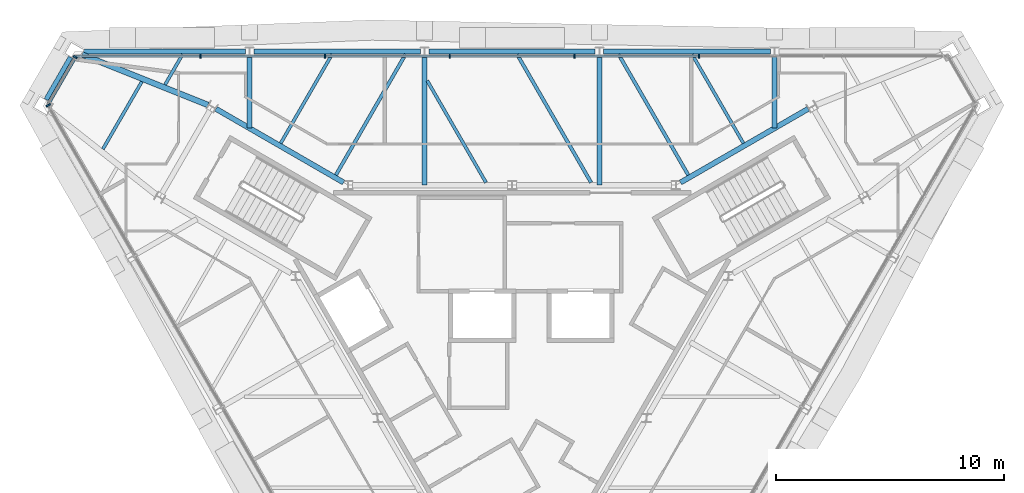
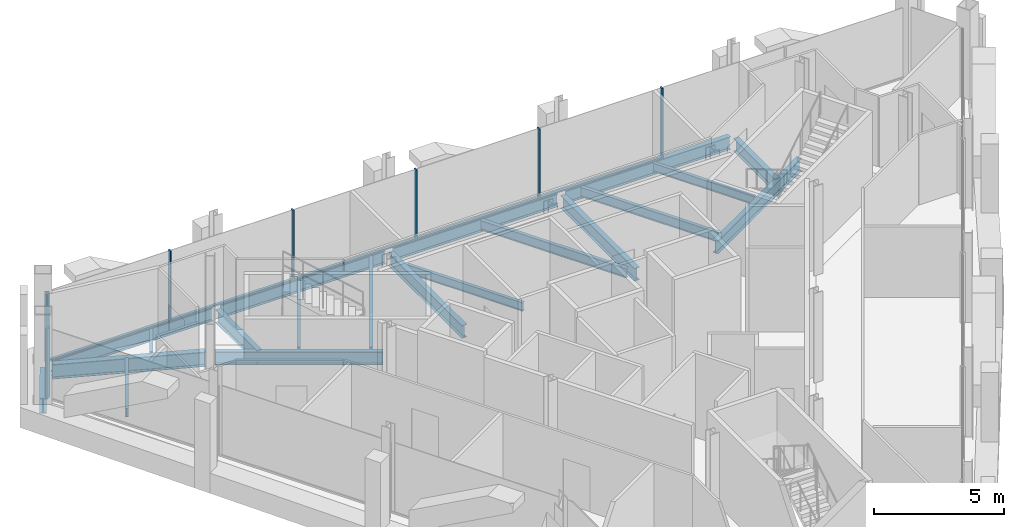
# One storey, part 6 of 13: 20 beams, 13 members, 3 elements without a shape of their own.
"""IFC4 building model written with IfcOpenShell, lengths in metres."""

from ifc_helpers import new_model, si_unit, direction, frame, origin, origin_2d, place, context, subcontext, project, spatial, rectangle, i_section, extrude, material, material_profile, profile_set, type_object, element, aggregate, save


model = new_model("IFC4")

# Units and contexts
model_context = context("Model", 3, precision=1e-05, world=origin(), true_north=direction((0.0, 1.0)))
body_context = subcontext(model_context, "Body", "Model", "MODEL_VIEW")
ifc_project = project(units=[si_unit("LENGTHUNIT", "METRE"), si_unit("AREAUNIT", "SQUARE_METRE"), si_unit("VOLUMEUNIT", "CUBIC_METRE"), si_unit("PLANEANGLEUNIT", "RADIAN"), si_unit("MASSUNIT", "GRAM", prefix="KILO")], contexts=[model_context])

# Site, building, storey
site_placement = place(None, origin())
site = spatial("IfcSite", under=ifc_project, at=site_placement, CompositionType="ELEMENT")
building_placement = place(site_placement, origin())
building = spatial("IfcBuilding", under=site, at=building_placement, Name="Verrane Prism Tower", CompositionType="ELEMENT")
storey_placement = place(building_placement, frame((0.0, 0.0, 325.199951171875)))
storey = spatial("IfcBuildingStorey", under=building, at=storey_placement, Name="L82", CompositionType="ELEMENT", Elevation=325.199951171875)

# Beams
ifc_material_1 = material(Name="Steel A992", Category="steel")
ifc_material_profile_1 = material_profile(ifc_material_1, i_section(OverallWidth=0.25390625, OverallDepth=0.683349609375, WebThickness=0.012451171875, FlangeThickness=0.01904296875, FilletRadius=0.01513671875, at=origin_2d()), Name="W27x94")
ifc_profile_set_1 = profile_set([ifc_material_profile_1], Name="Steel A992")
beam_type_1 = type_object("IfcBeamType", Name="Chamfer spandrel beam W27x94", PredefinedType="SPANDREL", material=ifc_profile_set_1)
beam_1_placement = place(storey_placement, frame((-19.320068359375, 12.390380859375, -0.50146484375), z_axis=(-0.500486898547, -0.865744110221, 0.0), x_axis=(0.865744110221, -0.500486898547, 0.0)))
element("IfcBeam", 1, at=beam_1_placement, inside=storey, type_object=beam_type_1, Name="Chamfer spandrel beam L82", PredefinedType="SPANDREL", context=body_context, shape_type="SweptSolid", body=[
    extrude(i_section(OverallWidth=0.25390625, OverallDepth=0.683349609375, WebThickness=0.012451171875, FlangeThickness=0.01904296875, FilletRadius=0.01513671875, at=origin_2d()), origin(), (0.0, 0.0, 1.0), 2.137451171875),
])
ifc_material_2 = material(Name="Steel A992", Category="steel")
ifc_material_profile_2 = material_profile(ifc_material_2, i_section(OverallWidth=0.228271484375, OverallDepth=0.607177734375, WebThickness=0.01123046875, FlangeThickness=0.017333984375, FilletRadius=0.0126953125, at=origin_2d()), Name="W24x76")
ifc_profile_set_2 = profile_set([ifc_material_profile_2], Name="Steel A992")
beam_type_2 = type_object("IfcBeamType", Name="Core ring girder W24x76", PredefinedType="BEAM", material=ifc_profile_set_2)
for number, where, z_axis, x_axis, name in (
    (2, (12.972900390625, 10.1435546875, -0.553466796875), (-0.866085504117, -0.499895888719, 0.0), (0.499895888719, -0.866085504117, 0.0), "Core ring girder L82"),
    (3, (-7.37939453125, 6.9150390625, -0.553466796875), (-0.866085504117, 0.499895888719, 0.0), (-0.499895888719, -0.866085504117, 0.0), "Core ring girder L82"),
):
    element("IfcBeam", number, at=place(storey_placement, frame(where, z_axis=z_axis, x_axis=x_axis)), inside=storey, type_object=beam_type_2, Name=name, PredefinedType="BEAM", context=body_context, shape_type="SweptSolid", body=[
        extrude(i_section(OverallWidth=0.228271484375, OverallDepth=0.607177734375, WebThickness=0.01123046875, FlangeThickness=0.017333984375, FilletRadius=0.0126953125, at=origin_2d()), origin(), (0.0, 0.0, 1.0), 6.45849609375),
    ])
ifc_material_3 = material(Name="Steel A992", Category="steel")
ifc_material_profile_3 = material_profile(ifc_material_3, i_section(OverallWidth=0.25390625, OverallDepth=0.683349609375, WebThickness=0.012451171875, FlangeThickness=0.01904296875, FilletRadius=0.01513671875, at=origin_2d()), Name="W27x94")
ifc_profile_set_3 = profile_set([ifc_material_profile_3], Name="Steel A992")
beam_type_3 = type_object("IfcBeamType", Name="Corner girder W27x94", PredefinedType="BEAM", material=ifc_profile_set_3)
beam_2_placement = place(storey_placement, frame((-18.841552734375, 12.518798828125, -0.5615234375), z_axis=(0.928587103525, -0.371114525675, 0.0), x_axis=(0.371114525675, 0.928587103525, 0.0)))
element("IfcBeam", 4, at=beam_2_placement, inside=storey, type_object=beam_type_3, Name="Corner girder L82", PredefinedType="BEAM", context=body_context, shape_type="SweptSolid", body=[
    extrude(i_section(OverallWidth=0.25390625, OverallDepth=0.683349609375, WebThickness=0.012451171875, FlangeThickness=0.01904296875, FilletRadius=0.01513671875, at=origin_2d()), origin(), (0.0, 0.0, 1.0), 5.945068359375),
])
ifc_material_4 = material(Name="Steel A992", Category="steel")
ifc_material_profile_4 = material_profile(ifc_material_4, i_section(OverallWidth=0.140380859375, OverallDepth=0.40380859375, WebThickness=0.007080078125, FlangeThickness=0.01123046875, FilletRadius=0.01025390625, at=origin_2d()), Name="W16x31")
ifc_profile_set_4 = profile_set([ifc_material_profile_4], Name="Steel A992")
beam_type_4 = type_object("IfcBeamType", Name="Floor beam W16x31", PredefinedType="BEAM", material=ifc_profile_set_4)
beam_3_placement = place(storey_placement, frame((10.135498046875, 8.635009765625, -0.36181640625), z_axis=(-0.500003959331, 0.866023117852, 0.0), x_axis=(-0.866023117852, -0.500003959331, 0.0)))
element("IfcBeam", 5, at=beam_3_placement, inside=storey, type_object=beam_type_4, Name="Floor beam L82", PredefinedType="BEAM", context=body_context, shape_type="SweptSolid", body=[
    extrude(i_section(OverallWidth=0.140380859375, OverallDepth=0.40380859375, WebThickness=0.007080078125, FlangeThickness=0.01123046875, FilletRadius=0.01025390625, at=origin_2d()), origin(), (0.0, 0.0, 1.0), 4.50439453125),
])
beam_4_placement = place(storey_placement, frame((-1.140380859375, 6.9140625, -0.36181640625), z_axis=(-0.500023314225, 0.866011942892, 0.0), x_axis=(-0.866011942892, -0.500023314225, 0.0)))
element("IfcBeam", 6, at=beam_4_placement, inside=storey, type_object=beam_type_4, Name="Floor beam L82", PredefinedType="BEAM", context=body_context, shape_type="SweptSolid", body=[
    extrude(i_section(OverallWidth=0.140380859375, OverallDepth=0.40380859375, WebThickness=0.007080078125, FlangeThickness=0.01123046875, FilletRadius=0.01025390625, at=origin_2d()), origin(), (0.0, 0.0, 1.0), 5.151123046875),
])
beam_5_placement = place(storey_placement, frame((-10.135498046875, 8.635009765625, -0.36181640625), z_axis=(0.500003959331, 0.866023117852, 0.0), x_axis=(-0.866023117852, 0.500003959331, 0.0)))
element("IfcBeam", 7, at=beam_5_placement, inside=storey, type_object=beam_type_4, Name="Floor beam L82", PredefinedType="BEAM", context=body_context, shape_type="SweptSolid", body=[
    extrude(i_section(OverallWidth=0.140380859375, OverallDepth=0.40380859375, WebThickness=0.007080078125, FlangeThickness=0.01123046875, FilletRadius=0.01025390625, at=origin_2d()), origin(), (0.0, 0.0, 1.0), 4.50439453125),
])
beam_6_placement = place(storey_placement, frame((-15.201904296875, 11.20068359375, -0.36181640625), z_axis=(0.50005597947, 0.86599308161, 0.0), x_axis=(-0.86599308161, 0.50005597947, 0.0)))
element("IfcBeam", 8, at=beam_6_placement, inside=storey, type_object=beam_type_4, Name="Floor beam L82", PredefinedType="BEAM", context=body_context, shape_type="SweptSolid", body=[
    extrude(i_section(OverallWidth=0.140380859375, OverallDepth=0.40380859375, WebThickness=0.007080078125, FlangeThickness=0.01123046875, FilletRadius=0.01025390625, at=origin_2d()), origin(), (0.0, 0.0, 1.0), 1.541748046875),
])
beam_7_placement = place(storey_placement, frame((-17.925048828125, 8.380615234375, -0.36181640625), z_axis=(0.500042619005, 0.866000796292, 0.0), x_axis=(-0.866000796292, 0.500042619005, 0.0)))
element("IfcBeam", 9, at=beam_7_placement, inside=storey, type_object=beam_type_4, Name="Floor beam L82", PredefinedType="BEAM", context=body_context, shape_type="SweptSolid", body=[
    extrude(i_section(OverallWidth=0.140380859375, OverallDepth=0.40380859375, WebThickness=0.007080078125, FlangeThickness=0.01123046875, FilletRadius=0.01025390625, at=origin_2d()), origin(), (0.0, 0.0, 1.0), 3.410400390625),
])
ifc_material_5 = material(Name="Steel A992", Category="steel")
ifc_material_profile_5 = material_profile(ifc_material_5, i_section(OverallWidth=0.15234375, OverallDepth=0.449462890625, WebThickness=0.007568359375, FlangeThickness=0.0107421875, FilletRadius=0.01025390625, at=origin_2d()), Name="W18x35")
ifc_profile_set_5 = profile_set([ifc_material_profile_5], Name="Steel A992")
beam_type_5 = type_object("IfcBeamType", Name="Floor beam W18x35", PredefinedType="BEAM", material=ifc_profile_set_5)
beam_8_placement = place(storey_placement, frame((7.718994140625, 7.2421875, -0.384765625), z_axis=(-0.500009409241, 0.866019971289, 0.0), x_axis=(-0.866019971289, -0.500009409241, 0.0)))
element("IfcBeam", 10, at=beam_8_placement, inside=storey, type_object=beam_type_5, Name="Floor beam L82", PredefinedType="BEAM", context=body_context, shape_type="SweptSolid", body=[
    extrude(i_section(OverallWidth=0.15234375, OverallDepth=0.449462890625, WebThickness=0.007568359375, FlangeThickness=0.0107421875, FilletRadius=0.01025390625, at=origin_2d()), origin(), (0.0, 0.0, 1.0), 6.11279296875),
])
beam_9_placement = place(storey_placement, frame((3.46240234375, 6.9140625, -0.384765625), z_axis=(-0.499981816164, 0.866035901972, 0.0), x_axis=(-0.866035901972, -0.499981816164, 0.0)))
element("IfcBeam", 11, at=beam_9_placement, inside=storey, type_object=beam_type_5, Name="Floor beam L82", PredefinedType="BEAM", context=body_context, shape_type="SweptSolid", body=[
    extrude(i_section(OverallWidth=0.15234375, OverallDepth=0.449462890625, WebThickness=0.007568359375, FlangeThickness=0.0107421875, FilletRadius=0.01025390625, at=origin_2d()), origin(), (0.0, 0.0, 1.0), 6.491455078125),
])
beam_10_placement = place(storey_placement, frame((-7.718994140625, 7.2421875, -0.384765625), z_axis=(0.500009409241, 0.866019971289, 0.0), x_axis=(-0.866019971289, 0.500009409241, 0.0)))
element("IfcBeam", 12, at=beam_10_placement, inside=storey, type_object=beam_type_5, Name="Floor beam L82", PredefinedType="BEAM", context=body_context, shape_type="SweptSolid", body=[
    extrude(i_section(OverallWidth=0.15234375, OverallDepth=0.449462890625, WebThickness=0.007568359375, FlangeThickness=0.0107421875, FilletRadius=0.01025390625, at=origin_2d()), origin(), (0.0, 0.0, 1.0), 6.11279296875),
])

# Curtain wall, members
ifc_material_6 = material(Name="Aluminium framed insulated glazing", Category="aluminium")
curtain_wall_type_1 = type_object("IfcCurtainWallType", Name="Curtain wall CW-B 5600 module", PredefinedType="NOTDEFINED", material=ifc_material_6)
curtain_wall_1_placement = place(storey_placement, origin())
curtain_wall_1 = element("IfcCurtainWall", 13, at=curtain_wall_1_placement, inside=storey, type_object=curtain_wall_type_1, Name="Glazed curtain wall north face L82", PredefinedType="NOTDEFINED")
ifc_material_7 = material(Name="Aluminium alloy 6063-T6", Category="aluminium")
ifc_material_profile_6 = material_profile(ifc_material_7, rectangle(XDim=0.159912109375, YDim=0.06005859375, at=origin_2d()), Name="Mullion 60x160 aluminium")
ifc_profile_set_6 = profile_set([ifc_material_profile_6], Name="Aluminium alloy 6063-T6")
member_type_1 = type_object("IfcMemberType", Name="Mullion 60x160 aluminium", PredefinedType="MULLION", material=ifc_profile_set_6)
member_1_placement = place(storey_placement, frame((8.191650390625, 12.447265625, 0.0), z_axis=(0.0, 0.0, 1.0), x_axis=(0.0, -1.0, 0.0)))
member_1 = element("IfcMember", 14, at=member_1_placement, type_object=member_type_1, Name="CW82.2 mullion 3", PredefinedType="MULLION", context=body_context, shape_type="SweptSolid", body=[
    extrude(rectangle(XDim=0.159912109375, YDim=0.06005859375, at=origin_2d()), origin(), (0.0, 0.0, 1.0), 3.296630859375),
])
member_2_placement = place(storey_placement, frame((2.73046875, 12.447265625, 0.0), z_axis=(0.0, 0.0, 1.0), x_axis=(0.0, -1.0, 0.0)))
member_2 = element("IfcMember", 15, at=member_2_placement, type_object=member_type_1, Name="CW82.2 mullion 4", PredefinedType="MULLION", context=body_context, shape_type="SweptSolid", body=[
    extrude(rectangle(XDim=0.159912109375, YDim=0.06005859375, at=origin_2d()), origin(), (0.0, 0.0, 1.0), 3.296630859375),
])
member_3_placement = place(storey_placement, frame((-2.73046875, 12.447265625, 0.0), z_axis=(0.0, 0.0, 1.0), x_axis=(0.0, -1.0, 0.0)))
member_3 = element("IfcMember", 16, at=member_3_placement, type_object=member_type_1, Name="CW82.2 mullion 5", PredefinedType="MULLION", context=body_context, shape_type="SweptSolid", body=[
    extrude(rectangle(XDim=0.159912109375, YDim=0.06005859375, at=origin_2d()), origin(), (0.0, 0.0, 1.0), 3.296630859375),
])
member_4_placement = place(storey_placement, frame((-8.191650390625, 12.447265625, 0.0), z_axis=(0.0, 0.0, 1.0), x_axis=(0.0, -1.0, 0.0)))
member_4 = element("IfcMember", 17, at=member_4_placement, type_object=member_type_1, Name="CW82.2 mullion 6", PredefinedType="MULLION", context=body_context, shape_type="SweptSolid", body=[
    extrude(rectangle(XDim=0.159912109375, YDim=0.06005859375, at=origin_2d()), origin(), (0.0, 0.0, 1.0), 3.296630859375),
])
member_5_placement = place(storey_placement, frame((-13.65283203125, 12.447265625, 0.0), z_axis=(0.0, 0.0, 1.0), x_axis=(0.0, -1.0, 0.0)))
member_5 = element("IfcMember", 18, at=member_5_placement, type_object=member_type_1, Name="CW82.2 mullion 7", PredefinedType="MULLION", context=body_context, shape_type="SweptSolid", body=[
    extrude(rectangle(XDim=0.159912109375, YDim=0.06005859375, at=origin_2d()), origin(), (0.0, 0.0, 1.0), 3.296630859375),
])

# Curtain wall, member
ifc_material_8 = material(Name="Aluminium framed insulated glazing", Category="aluminium")
curtain_wall_type_2 = type_object("IfcCurtainWallType", Name="Curtain wall CW-A 8400 module", PredefinedType="NOTDEFINED", material=ifc_material_8)
curtain_wall_2_placement = place(storey_placement, origin())
curtain_wall_2 = element("IfcCurtainWall", 19, at=curtain_wall_2_placement, inside=storey, type_object=curtain_wall_type_2, Name="Glazed curtain wall north-west corner L82", PredefinedType="NOTDEFINED")
ifc_material_9 = material(Name="Aluminium alloy 6063-T6", Category="aluminium")
ifc_material_profile_7 = material_profile(ifc_material_9, rectangle(XDim=0.199951171875, YDim=0.070068359375, at=origin_2d()), Name="Mullion 70x200 aluminium")
ifc_profile_set_7 = profile_set([ifc_material_profile_7], Name="Aluminium alloy 6063-T6")
member_type_2 = type_object("IfcMemberType", Name="Mullion 70x200 aluminium", PredefinedType="MULLION", material=ifc_profile_set_7)
member_6_placement = place(storey_placement, frame((-19.131591796875, 12.4169921875, 0.0), z_axis=(0.0, 0.0, 1.0), x_axis=(0.866024860131, -0.500000941634, 0.0)))
member_6 = element("IfcMember", 20, at=member_6_placement, type_object=member_type_2, Name="CW82.3 mullion 1", PredefinedType="MULLION", context=body_context, shape_type="SweptSolid", body=[
    extrude(rectangle(XDim=0.199951171875, YDim=0.070068359375, at=origin_2d()), origin(), (0.0, 0.0, 1.0), 3.296630859375),
])

curtain_wall_3_placement = place(storey_placement, origin())
curtain_wall_3 = element("IfcCurtainWall", 21, at=curtain_wall_3_placement, inside=storey, type_object=curtain_wall_type_2, Name="Glazed curtain wall south-west face L82", PredefinedType="NOTDEFINED")
member_7_placement = place(storey_placement, frame((-20.319091796875, 10.29931640625, 0.0), z_axis=(0.0, 0.0, 1.0), x_axis=(0.866025278644, 0.500000216749, 0.0)))
member_7 = element("IfcMember", 22, at=member_7_placement, type_object=member_type_2, Name="CW82.4 mullion 1", PredefinedType="MULLION", context=body_context, shape_type="SweptSolid", body=[
    extrude(rectangle(XDim=0.199951171875, YDim=0.070068359375, at=origin_2d()), origin(), (0.0, 0.0, 1.0), 3.296630859375),
])
aggregate(curtain_wall_3, [member_7])

# Beams
ifc_material_10 = material(Name="Steel A992", Category="steel")
ifc_material_profile_8 = material_profile(ifc_material_10, i_section(OverallWidth=0.228271484375, OverallDepth=0.607177734375, WebThickness=0.01123046875, FlangeThickness=0.017333984375, FilletRadius=0.0126953125, at=origin_2d()), Name="W24x76")
ifc_profile_set_8 = profile_set([ifc_material_profile_8], Name="Steel A992")
beam_type_6 = type_object("IfcBeamType", Name="Radial girder W24x76", PredefinedType="BEAM", material=ifc_profile_set_8)
beam_11_placement = place(storey_placement, frame((11.5, 12.4658203125, -0.5234375), z_axis=(0.0, -1.0, 0.0), x_axis=(1.0, 0.0, 0.0)))
element("IfcBeam", 23, at=beam_11_placement, inside=storey, type_object=beam_type_6, Name="Radial girder L82", PredefinedType="BEAM", context=body_context, shape_type="SweptSolid", body=[
    extrude(i_section(OverallWidth=0.228271484375, OverallDepth=0.607177734375, WebThickness=0.01123046875, FlangeThickness=0.017333984375, FilletRadius=0.0126953125, at=origin_2d()), origin(), (0.0, 0.0, 1.0), 3.17236328125),
])
for number, where, z_axis, x_axis, name in (
    (24, (3.830078125, 12.4658203125, -0.5234375), (0.0, -1.0, 0.0), (1.0, 0.0, 0.0), "Radial girder L82"),
    (25, (-3.830078125, 12.4658203125, -0.5234375), (0.0, -1.0, 0.0), (1.0, 0.0, 0.0), "Radial girder L82"),
):
    element("IfcBeam", number, at=place(storey_placement, frame(where, z_axis=z_axis, x_axis=x_axis)), inside=storey, type_object=beam_type_6, Name=name, PredefinedType="BEAM", context=body_context, shape_type="SweptSolid", body=[
        extrude(i_section(OverallWidth=0.228271484375, OverallDepth=0.607177734375, WebThickness=0.01123046875, FlangeThickness=0.017333984375, FilletRadius=0.0126953125, at=origin_2d()), origin(), (0.0, 0.0, 1.0), 5.665771484375),
    ])
beam_12_placement = place(storey_placement, frame((-11.5, 12.4658203125, -0.5234375), z_axis=(0.0, -1.0, 0.0), x_axis=(1.0, 0.0, 0.0)))
element("IfcBeam", 26, at=beam_12_placement, inside=storey, type_object=beam_type_6, Name="Radial girder L82", PredefinedType="BEAM", context=body_context, shape_type="SweptSolid", body=[
    extrude(i_section(OverallWidth=0.228271484375, OverallDepth=0.607177734375, WebThickness=0.01123046875, FlangeThickness=0.017333984375, FilletRadius=0.0126953125, at=origin_2d()), origin(), (0.0, 0.0, 1.0), 3.17236328125),
])
ifc_material_11 = material(Name="Steel A992", Category="steel")
ifc_material_profile_9 = material_profile(ifc_material_11, i_section(OverallWidth=0.228271484375, OverallDepth=0.607177734375, WebThickness=0.01123046875, FlangeThickness=0.017333984375, FilletRadius=0.0126953125, at=origin_2d()), Name="W24x76")
ifc_profile_set_9 = profile_set([ifc_material_profile_9], Name="Steel A992")
beam_type_7 = type_object("IfcBeamType", Name="Spandrel beam W24x76", PredefinedType="SPANDREL", material=ifc_profile_set_9)
beam_13_placement = place(storey_placement, frame((11.313232421875, 12.64990234375, -0.46337890625), z_axis=(-1.0, 0.0, 0.0), x_axis=(0.0, -1.0, 0.0)))
element("IfcBeam", 27, at=beam_13_placement, inside=storey, type_object=beam_type_7, Name="Spandrel beam L82", PredefinedType="SPANDREL", context=body_context, shape_type="SweptSolid", body=[
    extrude(i_section(OverallWidth=0.228271484375, OverallDepth=0.607177734375, WebThickness=0.01123046875, FlangeThickness=0.017333984375, FilletRadius=0.0126953125, at=origin_2d()), origin(), (0.0, 0.0, 1.0), 7.296630859375),
])
beam_14_placement = place(storey_placement, frame((3.643310546875, 12.64990234375, -0.46337890625), z_axis=(-1.0, 0.0, 0.0), x_axis=(0.0, -1.0, 0.0)))
element("IfcBeam", 28, at=beam_14_placement, inside=storey, type_object=beam_type_7, Name="Spandrel beam L82", PredefinedType="SPANDREL", context=body_context, shape_type="SweptSolid", body=[
    extrude(i_section(OverallWidth=0.228271484375, OverallDepth=0.607177734375, WebThickness=0.01123046875, FlangeThickness=0.017333984375, FilletRadius=0.0126953125, at=origin_2d()), origin(), (0.0, 0.0, 1.0), 7.28662109375),
])
beam_15_placement = place(storey_placement, frame((-4.0166015625, 12.64990234375, -0.46337890625), z_axis=(-1.0, 0.0, 0.0), x_axis=(0.0, -1.0, 0.0)))
element("IfcBeam", 29, at=beam_15_placement, inside=storey, type_object=beam_type_7, Name="Spandrel beam L82", PredefinedType="SPANDREL", context=body_context, shape_type="SweptSolid", body=[
    extrude(i_section(OverallWidth=0.228271484375, OverallDepth=0.607177734375, WebThickness=0.01123046875, FlangeThickness=0.017333984375, FilletRadius=0.0126953125, at=origin_2d()), origin(), (0.0, 0.0, 1.0), 7.296630859375),
])
beam_16_placement = place(storey_placement, frame((-11.686767578125, 12.64990234375, -0.46337890625), z_axis=(-1.0, 0.0, 0.0), x_axis=(0.0, -1.0, 0.0)))
element("IfcBeam", 30, at=beam_16_placement, inside=storey, type_object=beam_type_7, Name="Spandrel beam L82", PredefinedType="SPANDREL", context=body_context, shape_type="SweptSolid", body=[
    extrude(i_section(OverallWidth=0.228271484375, OverallDepth=0.607177734375, WebThickness=0.01123046875, FlangeThickness=0.017333984375, FilletRadius=0.0126953125, at=origin_2d()), origin(), (0.0, 0.0, 1.0), 7.0791015625),
])

# Member
ifc_material_12 = material(Name="Aluminium alloy 6063-T6", Category="aluminium")
ifc_material_profile_10 = material_profile(ifc_material_12, rectangle(XDim=0.1201171875, YDim=0.06005859375, at=origin_2d()), Name="Transom 60x120 aluminium")
ifc_profile_set_10 = profile_set([ifc_material_profile_10], Name="Aluminium alloy 6063-T6")
member_type_3 = type_object("IfcMemberType", Name="Transom 60x120 aluminium", PredefinedType="USERDEFINED", material=ifc_profile_set_10)
member_8_placement = place(storey_placement, frame((8.16162109375, 12.447265625, 0.030029296875), z_axis=(-1.0, 0.0, 0.0), x_axis=(0.0, -1.0, 0.0)))
member_8 = element("IfcMember", 31, at=member_8_placement, type_object=member_type_3, Name="CW82.2 transom 3", ObjectType="TRANSOM", PredefinedType="USERDEFINED", context=body_context, shape_type="SweptSolid", body=[
    extrude(rectangle(XDim=0.1201171875, YDim=0.06005859375, at=origin_2d()), origin(), (0.0, 0.0, 1.0), 5.401123046875),
])

member_9_placement = place(storey_placement, frame((2.70068359375, 12.447265625, 0.030029296875), z_axis=(-1.0, 0.0, 0.0), x_axis=(0.0, -1.0, 0.0)))
member_9 = element("IfcMember", 32, at=member_9_placement, type_object=member_type_3, Name="CW82.2 transom 4", ObjectType="TRANSOM", PredefinedType="USERDEFINED", context=body_context, shape_type="SweptSolid", body=[
    extrude(rectangle(XDim=0.1201171875, YDim=0.06005859375, at=origin_2d()), origin(), (0.0, 0.0, 1.0), 5.4013671875),
])

member_10_placement = place(storey_placement, frame((-2.760498046875, 12.447265625, 0.030029296875), z_axis=(-1.0, 0.0, 0.0), x_axis=(0.0, -1.0, 0.0)))
member_10 = element("IfcMember", 33, at=member_10_placement, type_object=member_type_3, Name="CW82.2 transom 5", ObjectType="TRANSOM", PredefinedType="USERDEFINED", context=body_context, shape_type="SweptSolid", body=[
    extrude(rectangle(XDim=0.1201171875, YDim=0.06005859375, at=origin_2d()), origin(), (0.0, 0.0, 1.0), 5.401123046875),
])

member_11_placement = place(storey_placement, frame((-8.2216796875, 12.447265625, 0.030029296875), z_axis=(-1.0, 0.0, 0.0), x_axis=(0.0, -1.0, 0.0)))
member_11 = element("IfcMember", 34, at=member_11_placement, type_object=member_type_3, Name="CW82.2 transom 6", ObjectType="TRANSOM", PredefinedType="USERDEFINED", context=body_context, shape_type="SweptSolid", body=[
    extrude(rectangle(XDim=0.1201171875, YDim=0.06005859375, at=origin_2d()), origin(), (0.0, 0.0, 1.0), 5.401123046875),
])

member_12_placement = place(storey_placement, frame((-13.682861328125, 12.447265625, 0.030029296875), z_axis=(-1.0, 0.0, 0.0), x_axis=(0.0, -1.0, 0.0)))
member_12 = element("IfcMember", 35, at=member_12_placement, type_object=member_type_3, Name="CW82.2 transom 7", ObjectType="TRANSOM", PredefinedType="USERDEFINED", context=body_context, shape_type="SweptSolid", body=[
    extrude(rectangle(XDim=0.1201171875, YDim=0.06005859375, at=origin_2d()), origin(), (0.0, 0.0, 1.0), 5.43115234375),
])

aggregate(curtain_wall_1, [member_1, member_2, member_3, member_4, member_5, member_8, member_9, member_10, member_11, member_12])

ifc_material_13 = material(Name="Aluminium alloy 6063-T6", Category="aluminium")
ifc_material_profile_11 = material_profile(ifc_material_13, rectangle(XDim=0.14990234375, YDim=0.070068359375, at=origin_2d()), Name="Transom 70x150 aluminium")
ifc_profile_set_11 = profile_set([ifc_material_profile_11], Name="Aluminium alloy 6063-T6")
member_type_4 = type_object("IfcMemberType", Name="Transom 70x150 aluminium", PredefinedType="USERDEFINED", material=ifc_profile_set_11)
member_13_placement = place(storey_placement, frame((-19.14892578125, 12.386474609375, 0.03515625), z_axis=(-0.500063520245, -0.865988727248, 0.0), x_axis=(0.865988727248, -0.500063520245, 0.0)))
member_13 = element("IfcMember", 36, at=member_13_placement, type_object=member_type_4, Name="CW82.3 transom 1", ObjectType="TRANSOM", PredefinedType="USERDEFINED", context=body_context, shape_type="SweptSolid", body=[
    extrude(rectangle(XDim=0.14990234375, YDim=0.070068359375, at=origin_2d()), origin(), (0.0, 0.0, 1.0), 2.375244140625),
])

aggregate(curtain_wall_2, [member_6, member_13])

save(model, "model.ifc")
